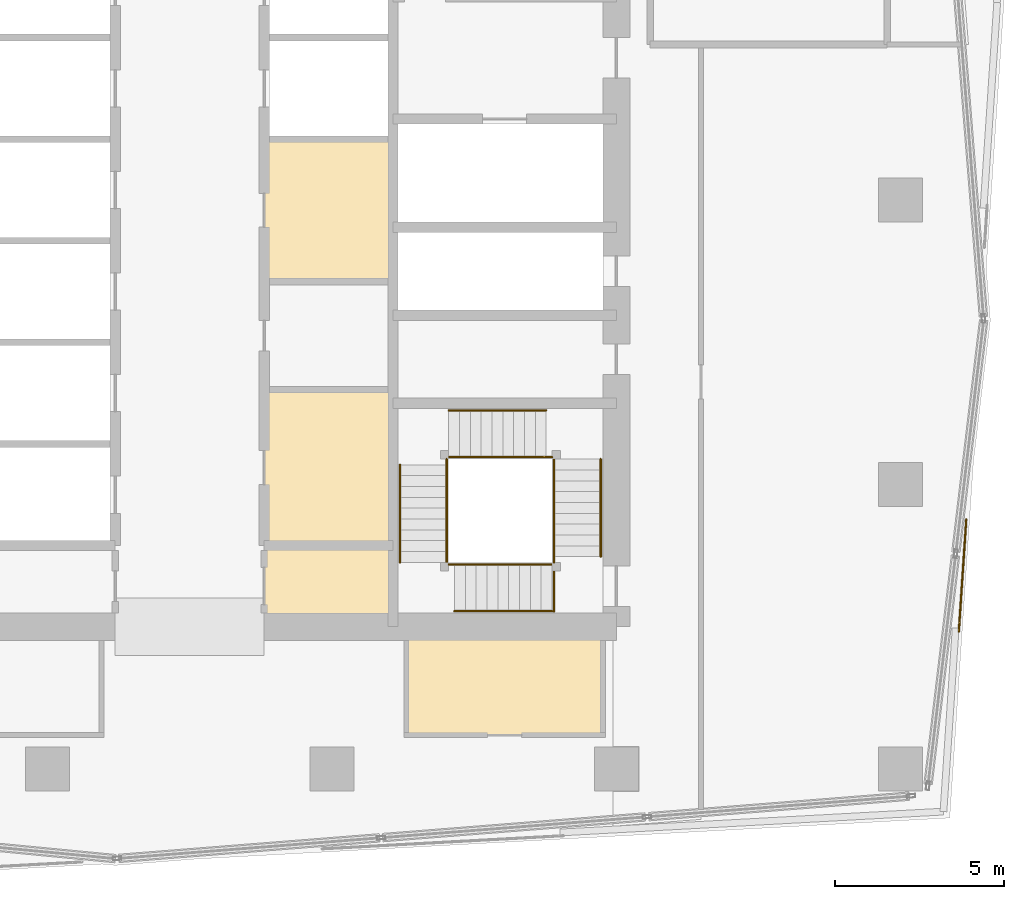
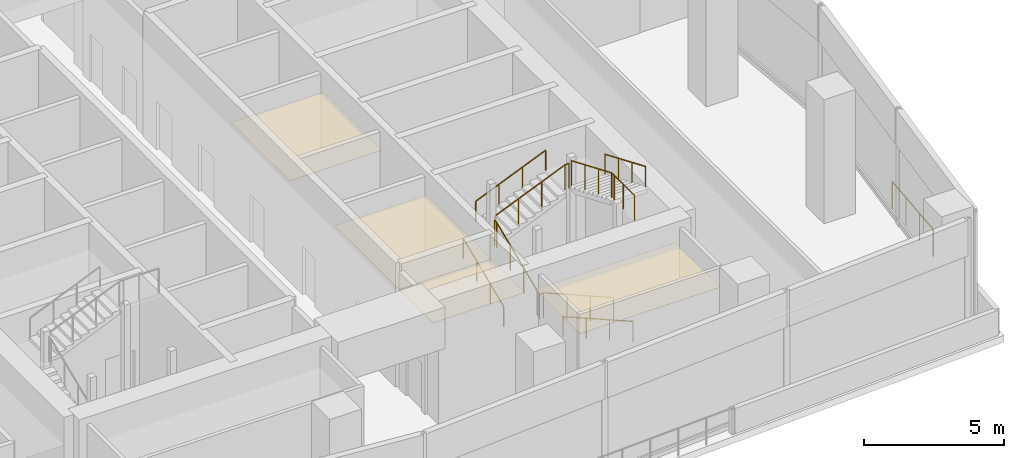
# One storey, part 19 of 22: 14 railings, 4 coverings.
"""IFC4 building model written with IfcOpenShell, lengths in metres."""

from ifc_helpers import new_model, si_unit, direction, frame, origin, origin_2d, place, context, subcontext, project, spatial, polyline, circle, outline, extrude, material, layer, layer_set, type_object, element, save


model = new_model("IFC4")

# Units and contexts
model_context = context("Model", 3, precision=1e-05, world=origin(), true_north=direction((0.0, 1.0)))
body_context = subcontext(model_context, "Body", "Model", "MODEL_VIEW")
ifc_project = project(units=[si_unit("LENGTHUNIT", "METRE"), si_unit("AREAUNIT", "SQUARE_METRE"), si_unit("VOLUMEUNIT", "CUBIC_METRE"), si_unit("PLANEANGLEUNIT", "RADIAN"), si_unit("MASSUNIT", "GRAM", prefix="KILO")], contexts=[model_context])

# Site, building, storey
site_placement = place(None, origin())
site = spatial("IfcSite", under=ifc_project, at=site_placement, CompositionType="ELEMENT")
building_placement = place(site_placement, origin())
building = spatial("IfcBuilding", under=site, at=building_placement, Name="Rekha Terrace Tower", CompositionType="ELEMENT")
storey_placement = place(building_placement, frame((0.0, 0.0, 291.35009765625)))
storey = spatial("IfcBuildingStorey", under=building, at=storey_placement, Name="L74", CompositionType="ELEMENT", Elevation=291.35009765625)

# Coverings
ifc_material_1 = material(Name="Fibre cement board", Category="finish")
ifc_layer = layer(ifc_material_1, 0.014892578125)
ifc_layer_set = layer_set([ifc_layer], Name="Fibre cement board")
covering_type = type_object("IfcCoveringType", Name="CL2 moisture-resistant board ceiling", PredefinedType="CEILING", material=ifc_layer_set)
covering_1_placement = place(storey_placement, frame((0.0, 0.0, 4.184814453125)))
element("IfcCovering", 1, at=covering_1_placement, inside=storey, type_object=covering_type, Name="Ceiling L74-WCA", PredefinedType="CEILING", context=body_context, shape_type="SweptSolid", body=[
    extrude(outline(polyline([(43.800048828125, 23.39990234375), (40.0, 23.39990234375), (40.0, 21.0), (43.800048828125, 21.0), (43.800048828125, 23.39990234375)])), origin(), (0.0, 0.0, 1.0), 0.01513671875),
])
covering_2_placement = place(storey_placement, frame((0.0, 0.0, 4.184814453125)))
element("IfcCovering", 2, at=covering_2_placement, inside=storey, type_object=covering_type, Name="Ceiling L74-FSE1", PredefinedType="CEILING", context=body_context, shape_type="SweptSolid", body=[
    extrude(outline(polyline([(43.800048828125, 28.0), (40.0, 28.0), (40.0, 23.39990234375), (43.800048828125, 23.39990234375), (43.800048828125, 28.0)])), origin(), (0.0, 0.0, 1.0), 0.01513671875),
])
covering_3_placement = place(storey_placement, frame((0.0, 0.0, 4.184814453125)))
element("IfcCovering", 3, at=covering_3_placement, inside=storey, type_object=covering_type, Name="Ceiling L74-FSE3", PredefinedType="CEILING", context=body_context, shape_type="SweptSolid", body=[
    extrude(outline(polyline([(43.800048828125, 35.39990234375), (40.0, 35.39990234375), (40.0, 31.199951171875), (43.800048828125, 31.199951171875), (43.800048828125, 35.39990234375)])), origin(), (0.0, 0.0, 1.0), 0.01513671875),
])
covering_4_placement = place(storey_placement, frame((0.0, 0.0, 4.184814453125)))
element("IfcCovering", 4, at=covering_4_placement, inside=storey, type_object=covering_type, Name="Ceiling L74-WCM2", PredefinedType="CEILING", context=body_context, shape_type="SweptSolid", body=[
    extrude(outline(polyline([(50.0, 21.0), (44.199951171875, 21.0), (44.199951171875, 17.800048828125), (50.0, 17.800048828125), (50.0, 21.0)])), origin(), (0.0, 0.0, 1.0), 0.01513671875),
])

# Railings
ifc_material_2 = material(Name="Stainless steel balustrade", Category="steel")
railing_type_1 = type_object("IfcRailingType", Name="GR1 1100 stair guard", PredefinedType="GUARDRAIL", material=ifc_material_2)
railing_1_placement = place(storey_placement, frame((48.5, 22.840087890625, 0.135009765625)))
element("IfcRailing", 5, at=railing_1_placement, inside=storey, type_object=railing_type_1, Name="Guard ST3 L74 flight 1", PredefinedType="GUARDRAIL", context=body_context, shape_type="SweptSolid", body=[
    extrude(circle(Radius=0.02392578125, at=origin_2d()), frame((0.0, 0.0, 1.076171875), z_axis=(-0.921376398962, 0.0, 0.388671495527), x_axis=(0.0, -1.0, 0.0)), (0.0, 0.0, 1.0), 3.125732421875),
    extrude(circle(Radius=0.02099609375, at=origin_2d()), origin(), (0.0, 0.0, 1.0), 1.052001953125),
    extrude(circle(Radius=0.02099609375, at=origin_2d()), frame((-0.9599609375, 0.0, 0.405029296875)), (0.0, 0.0, 1.0), 1.052001953125),
    extrude(circle(Radius=0.02099609375, at=origin_2d()), frame((-1.919921875, 0.0, 0.809814453125)), (0.0, 0.0, 1.0), 1.052001953125),
    extrude(circle(Radius=0.02099609375, at=origin_2d()), frame((-2.8798828125, 0.0, 1.21484375)), (0.0, 0.0, 1.0), 1.052001953125),
])
railing_2_placement = place(storey_placement, frame((45.389892578125, 22.89990234375, 1.48486328125)))
element("IfcRailing", 6, at=railing_2_placement, inside=storey, type_object=railing_type_1, Name="Guard ST3 L74 flight 2", PredefinedType="GUARDRAIL", context=body_context, shape_type="SweptSolid", body=[
    extrude(circle(Radius=0.02392578125, at=origin_2d()), frame((0.0, 0.0, 1.076171875), z_axis=(0.0, 0.921360227523, 0.388709828972), x_axis=(-1.0, 0.0, 0.0)), (0.0, 0.0, 1.0), 3.1259765625),
    extrude(circle(Radius=0.02099609375, at=origin_2d()), origin(), (0.0, 0.0, 1.0), 1.052001953125),
    extrude(circle(Radius=0.02099609375, at=origin_2d()), frame((0.0, 0.9599609375, 0.405029296875)), (0.0, 0.0, 1.0), 1.052001953125),
    extrude(circle(Radius=0.02099609375, at=origin_2d()), frame((0.0, 1.920166015625, 0.81005859375)), (0.0, 0.0, 1.0), 1.052001953125),
    extrude(circle(Radius=0.02099609375, at=origin_2d()), frame((0.0, 2.880126953125, 1.215087890625)), (0.0, 0.0, 1.0), 1.052001953125),
])
railing_3_placement = place(storey_placement, frame((45.449951171875, 26.010009765625, 2.8349609375)))
element("IfcRailing", 7, at=railing_3_placement, inside=storey, type_object=railing_type_1, Name="Guard ST3 L74 flight 3", PredefinedType="GUARDRAIL", context=body_context, shape_type="SweptSolid", body=[
    extrude(circle(Radius=0.02392578125, at=origin_2d()), frame((0.0, 0.0, 1.076171875), z_axis=(0.9213881973, 0.0, 0.388643525453), x_axis=(0.0, 1.0, 0.0)), (0.0, 0.0, 1.0), 3.1259765625),
    extrude(circle(Radius=0.02099609375, at=origin_2d()), origin(), (0.0, 0.0, 1.0), 1.052001953125),
    extrude(circle(Radius=0.02099609375, at=origin_2d()), frame((0.9599609375, 0.0, 0.405029296875)), (0.0, 0.0, 1.0), 1.052001953125),
    extrude(circle(Radius=0.02099609375, at=origin_2d()), frame((1.920166015625, 0.0, 0.809814453125)), (0.0, 0.0, 1.0), 1.052001953125),
    extrude(circle(Radius=0.02099609375, at=origin_2d()), frame((2.880126953125, 0.0, 1.21484375)), (0.0, 0.0, 1.0), 1.052001953125),
])
railing_4_placement = place(storey_placement, frame((48.56005859375, 25.949951171875, 4.184814453125)))
element("IfcRailing", 8, at=railing_4_placement, inside=storey, type_object=railing_type_1, Name="Guard ST3 L74 flight 4", PredefinedType="GUARDRAIL", context=body_context, shape_type="SweptSolid", body=[
    extrude(circle(Radius=0.02392578125, at=origin_2d()), frame((0.0, 0.0, 1.076171875), z_axis=(0.0, -0.921348425517, 0.388737802119), x_axis=(1.0, 0.0, 0.0)), (0.0, 0.0, 1.0), 3.125732421875),
    extrude(circle(Radius=0.02099609375, at=origin_2d()), origin(), (0.0, 0.0, 1.0), 1.052001953125),
    extrude(circle(Radius=0.02099609375, at=origin_2d()), frame((0.0, -0.9599609375, 0.405029296875)), (0.0, 0.0, 1.0), 1.052001953125),
    extrude(circle(Radius=0.02099609375, at=origin_2d()), frame((0.0, -1.919921875, 0.81005859375)), (0.0, 0.0, 1.0), 1.052001953125),
    extrude(circle(Radius=0.02099609375, at=origin_2d()), frame((0.0, -2.8798828125, 1.215087890625)), (0.0, 0.0, 1.0), 1.052001953125),
])
railing_5_placement = place(storey_placement, frame((45.6201171875, 22.840087890625, 1.349853515625)))
element("IfcRailing", 9, at=railing_5_placement, inside=storey, type_object=railing_type_1, Name="Guard ST3 L74 landing 1", PredefinedType="GUARDRAIL", context=body_context, shape_type="SweptSolid", body=[
    extrude(circle(Radius=0.02392578125, at=origin_2d()), frame((0.0, 0.0, 1.076171875), z_axis=(-1.0, 0.0, 0.0), x_axis=(0.0, -1.0, 0.0)), (0.0, 0.0, 1.0), 0.170166015625),
    extrude(circle(Radius=0.02099609375, at=origin_2d()), origin(), (0.0, 0.0, 1.0), 1.052001953125),
    extrude(circle(Radius=0.02099609375, at=origin_2d()), frame((-0.170166015625, 0.0, 0.0)), (0.0, 0.0, 1.0), 1.052001953125),
])
railing_6_placement = place(storey_placement, frame((45.389892578125, 25.780029296875, 2.699951171875)))
element("IfcRailing", 10, at=railing_6_placement, inside=storey, type_object=railing_type_1, Name="Guard ST3 L74 landing 2", PredefinedType="GUARDRAIL", context=body_context, shape_type="SweptSolid", body=[
    extrude(circle(Radius=0.02392578125, at=origin_2d()), frame((0.0, 0.0, 1.076171875), z_axis=(0.0, 1.0, 0.0), x_axis=(-1.0, 0.0, 0.0)), (0.0, 0.0, 1.0), 0.169921875),
    extrude(circle(Radius=0.02099609375, at=origin_2d()), origin(), (0.0, 0.0, 1.0), 1.052001953125),
    extrude(circle(Radius=0.02099609375, at=origin_2d()), frame((0.0, 0.169921875, 0.0)), (0.0, 0.0, 1.0), 1.052001953125),
])
railing_7_placement = place(storey_placement, frame((48.5, 26.010009765625, 4.0498046875)))
element("IfcRailing", 11, at=railing_7_placement, inside=storey, type_object=railing_type_1, Name="Guard ST3 L74 landing 3", PredefinedType="GUARDRAIL", context=body_context, shape_type="SweptSolid", body=[
    extrude(circle(Radius=0.02392578125, at=origin_2d()), frame((0.0, 0.0, 1.076171875), z_axis=(-1.0, 0.0, 0.0), x_axis=(0.0, -1.0, 0.0)), (0.0, 0.0, 1.0), 0.169921875),
    extrude(circle(Radius=0.02099609375, at=origin_2d()), origin(), (0.0, 0.0, 1.0), 1.052001953125),
    extrude(circle(Radius=0.02099609375, at=origin_2d()), frame((-0.169921875, 0.0, 0.0)), (0.0, 0.0, 1.0), 1.052001953125),
])
railing_8_placement = place(storey_placement, frame((48.56005859375, 22.89990234375, 5.39990234375)))
element("IfcRailing", 12, at=railing_8_placement, inside=storey, type_object=railing_type_1, Name="Guard ST3 L74 landing 4", PredefinedType="GUARDRAIL", context=body_context, shape_type="SweptSolid", body=[
    extrude(circle(Radius=0.02392578125, at=origin_2d()), frame((0.0, 0.0, 1.076171875), z_axis=(0.0, 1.0, 0.0), x_axis=(-1.0, 0.0, 0.0)), (0.0, 0.0, 1.0), 0.170166015625),
    extrude(circle(Radius=0.02099609375, at=origin_2d()), origin(), (0.0, 0.0, 1.0), 1.052001953125),
    extrude(circle(Radius=0.02099609375, at=origin_2d()), frame((0.0, 0.170166015625, 0.0)), (0.0, 0.0, 1.0), 1.052001953125),
])
railing_9_placement = place(storey_placement, frame((48.56005859375, 21.449951171875, 5.39990234375)))
element("IfcRailing", 13, at=railing_9_placement, inside=storey, type_object=railing_type_1, Name="Guard ST3 L74 landing 5", PredefinedType="GUARDRAIL", context=body_context, shape_type="SweptSolid", body=[
    extrude(circle(Radius=0.02392578125, at=origin_2d()), frame((0.0, 0.0, 1.076171875), z_axis=(0.0, 1.0, 0.0), x_axis=(-1.0, 0.0, 0.0)), (0.0, 0.0, 1.0), 1.6201171875),
    extrude(circle(Radius=0.02099609375, at=origin_2d()), origin(), (0.0, 0.0, 1.0), 1.052001953125),
    extrude(circle(Radius=0.02099609375, at=origin_2d()), frame((0.0, 0.81005859375, 0.0)), (0.0, 0.0, 1.0), 1.052001953125),
    extrude(circle(Radius=0.02099609375, at=origin_2d()), frame((0.0, 1.6201171875, 0.0)), (0.0, 0.0, 1.0), 1.052001953125),
])
ifc_material_3 = material(Name="Steel guard with vertical balusters", Category="steel")
railing_type_2 = type_object("IfcRailingType", Name="GR2 refuge area guard 1200", PredefinedType="GUARDRAIL", material=ifc_material_3)
railing_10_placement = place(storey_placement, frame((60.515380859375, 20.85302734375, 0.0)))
element("IfcRailing", 14, at=railing_10_placement, inside=storey, type_object=railing_type_2, Name="Ledge corner guard", PredefinedType="GUARDRAIL", context=body_context, shape_type="SweptSolid", body=[
    extrude(circle(Radius=0.02392578125, at=origin_2d()), frame((0.0, 0.0, 1.17578125), z_axis=(0.066250293793, 0.997803035961, 0.0), x_axis=(-0.997803035961, 0.066250293793, 0.0)), (0.0, 0.0, 1.0), 3.316650390625),
    extrude(circle(Radius=0.02099609375, at=origin_2d()), origin(), (0.0, 0.0, 1.0), 1.15185546875),
    extrude(circle(Radius=0.02099609375, at=origin_2d()), frame((0.0732421875, 1.10302734375, 0.0)), (0.0, 0.0, 1.0), 1.15185546875),
    extrude(circle(Radius=0.02099609375, at=origin_2d()), frame((0.146484375, 2.206298828125, 0.0)), (0.0, 0.0, 1.0), 1.15185546875),
    extrude(circle(Radius=0.02099609375, at=origin_2d()), frame((0.2197265625, 3.309326171875, 0.0)), (0.0, 0.0, 1.0), 1.15185546875),
])
ifc_material_4 = material(Name="Stainless steel tube", Category="steel")
railing_type_3 = type_object("IfcRailingType", Name="HR1 900 stair handrail", PredefinedType="HANDRAIL", material=ifc_material_4)
railing_11_placement = place(storey_placement, frame((48.5, 21.4599609375, 0.135009765625)))
element("IfcRailing", 15, at=railing_11_placement, inside=storey, type_object=railing_type_3, Name="Handrail ST3 L74 flight 1", PredefinedType="HANDRAIL", context=body_context, shape_type="SweptSolid", body=[
    extrude(circle(Radius=0.02392578125, at=origin_2d()), frame((0.0, 0.0, 0.8759765625), z_axis=(-0.921376398962, 0.0, 0.388671495527), x_axis=(0.0, -1.0, 0.0)), (0.0, 0.0, 1.0), 3.125732421875),
    extrude(circle(Radius=0.02099609375, at=origin_2d()), origin(), (0.0, 0.0, 1.0), 0.851806640625),
    extrude(circle(Radius=0.02099609375, at=origin_2d()), frame((-0.9599609375, 0.0, 0.405029296875)), (0.0, 0.0, 1.0), 0.851806640625),
    extrude(circle(Radius=0.02099609375, at=origin_2d()), frame((-1.919921875, 0.0, 0.809814453125)), (0.0, 0.0, 1.0), 0.851806640625),
    extrude(circle(Radius=0.02099609375, at=origin_2d()), frame((-2.8798828125, 0.0, 1.21484375)), (0.0, 0.0, 1.0), 0.851806640625),
])
railing_12_placement = place(storey_placement, frame((44.010009765625, 22.89990234375, 1.48486328125)))
element("IfcRailing", 16, at=railing_12_placement, inside=storey, type_object=railing_type_3, Name="Handrail ST3 L74 flight 2", PredefinedType="HANDRAIL", context=body_context, shape_type="SweptSolid", body=[
    extrude(circle(Radius=0.02392578125, at=origin_2d()), frame((0.0, 0.0, 0.8759765625), z_axis=(0.0, 0.921360227523, 0.388709828972), x_axis=(-1.0, 0.0, 0.0)), (0.0, 0.0, 1.0), 3.1259765625),
    extrude(circle(Radius=0.02099609375, at=origin_2d()), origin(), (0.0, 0.0, 1.0), 0.851806640625),
    extrude(circle(Radius=0.02099609375, at=origin_2d()), frame((0.0, 0.9599609375, 0.405029296875)), (0.0, 0.0, 1.0), 0.851806640625),
    extrude(circle(Radius=0.02099609375, at=origin_2d()), frame((0.0, 1.920166015625, 0.81005859375)), (0.0, 0.0, 1.0), 0.851806640625),
    extrude(circle(Radius=0.02099609375, at=origin_2d()), frame((0.0, 2.880126953125, 1.215087890625)), (0.0, 0.0, 1.0), 0.851806640625),
])
railing_13_placement = place(storey_placement, frame((45.449951171875, 27.389892578125, 2.8349609375)))
element("IfcRailing", 17, at=railing_13_placement, inside=storey, type_object=railing_type_3, Name="Handrail ST3 L74 flight 3", PredefinedType="HANDRAIL", context=body_context, shape_type="SweptSolid", body=[
    extrude(circle(Radius=0.02392578125, at=origin_2d()), frame((0.0, 0.0, 0.8759765625), z_axis=(0.9213881973, 0.0, 0.388643525453), x_axis=(0.0, 1.0, 0.0)), (0.0, 0.0, 1.0), 3.1259765625),
    extrude(circle(Radius=0.02099609375, at=origin_2d()), origin(), (0.0, 0.0, 1.0), 0.851806640625),
    extrude(circle(Radius=0.02099609375, at=origin_2d()), frame((0.9599609375, 0.0, 0.405029296875)), (0.0, 0.0, 1.0), 0.851806640625),
    extrude(circle(Radius=0.02099609375, at=origin_2d()), frame((1.920166015625, 0.0, 0.809814453125)), (0.0, 0.0, 1.0), 0.851806640625),
    extrude(circle(Radius=0.02099609375, at=origin_2d()), frame((2.880126953125, 0.0, 1.21484375)), (0.0, 0.0, 1.0), 0.851806640625),
])
railing_14_placement = place(storey_placement, frame((49.93994140625, 25.949951171875, 4.184814453125)))
element("IfcRailing", 18, at=railing_14_placement, inside=storey, type_object=railing_type_3, Name="Handrail ST3 L74 flight 4", PredefinedType="HANDRAIL", context=body_context, shape_type="SweptSolid", body=[
    extrude(circle(Radius=0.02392578125, at=origin_2d()), frame((0.0, 0.0, 0.8759765625), z_axis=(0.0, -0.921348425517, 0.388737802119), x_axis=(1.0, 0.0, 0.0)), (0.0, 0.0, 1.0), 3.125732421875),
    extrude(circle(Radius=0.02099609375, at=origin_2d()), origin(), (0.0, 0.0, 1.0), 0.851806640625),
    extrude(circle(Radius=0.02099609375, at=origin_2d()), frame((0.0, -0.9599609375, 0.405029296875)), (0.0, 0.0, 1.0), 0.851806640625),
    extrude(circle(Radius=0.02099609375, at=origin_2d()), frame((0.0, -1.919921875, 0.81005859375)), (0.0, 0.0, 1.0), 0.851806640625),
    extrude(circle(Radius=0.02099609375, at=origin_2d()), frame((0.0, -2.8798828125, 1.215087890625)), (0.0, 0.0, 1.0), 0.851806640625),
])

save(model, "model.ifc")
